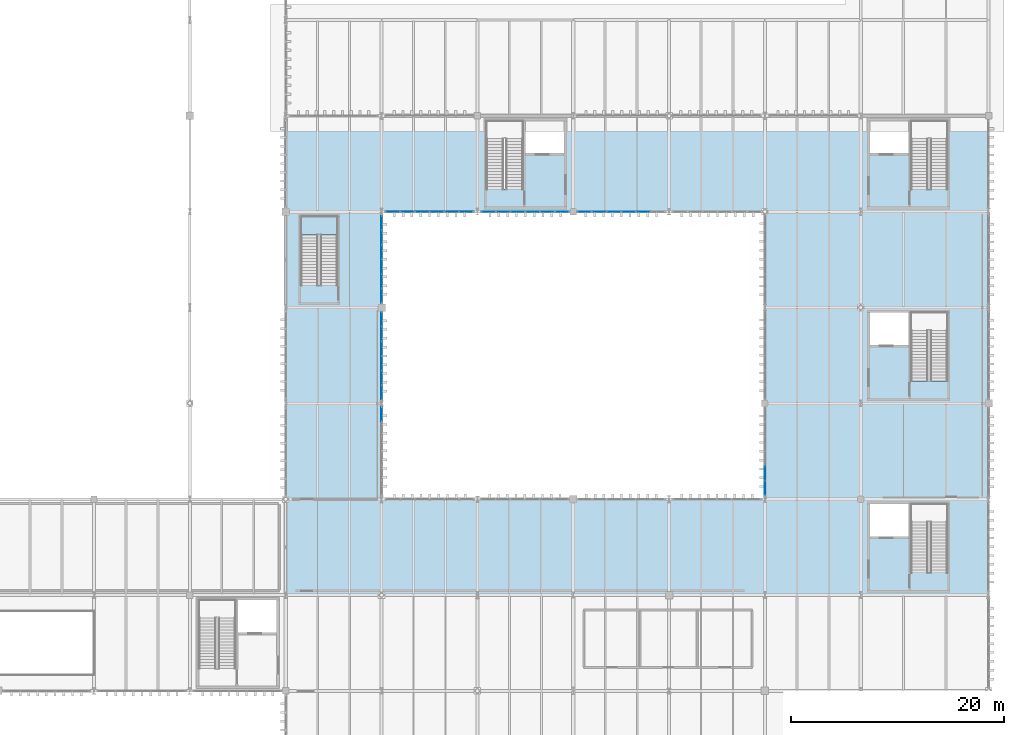
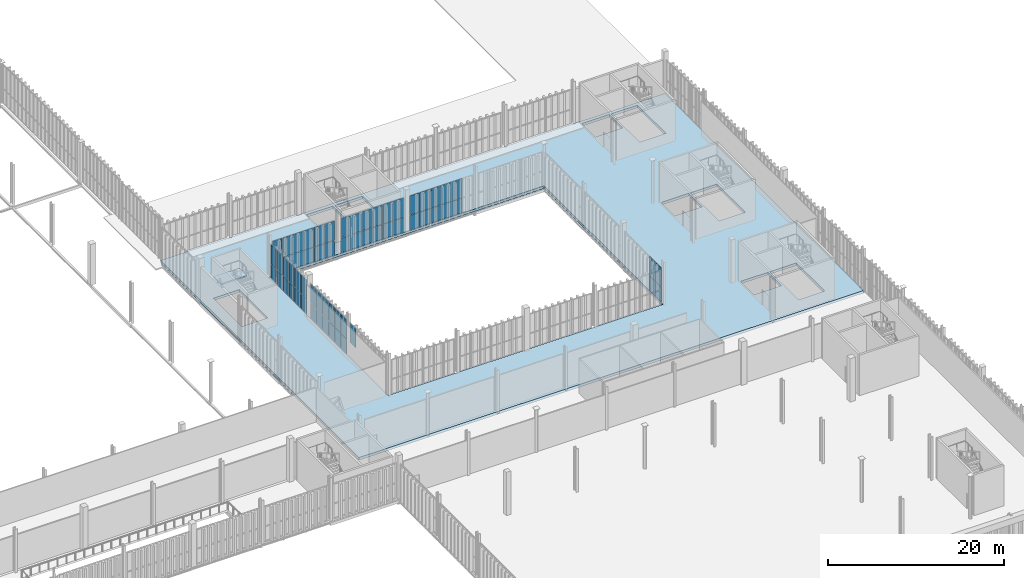
# One storey, part 192 of 237: 63 plates, 2 slabs, 8 elements without a shape of their own.
"""IFC4 building model written with IfcOpenShell, lengths in metres."""

from ifc_helpers import new_model, si_unit, direction, frame, origin, origin_2d, place, context, subcontext, project, spatial, polyline, rectangle, outline, extrude, material, layer, layer_set, type_object, element, aggregate, save


model = new_model("IFC4")

# Units and contexts
model_context = context("Model", 3, precision=1e-05, world=origin(), true_north=direction((0.0, 1.0)))
body_context = subcontext(model_context, "Body", "Model", "MODEL_VIEW")
ifc_project = project(units=[si_unit("LENGTHUNIT", "METRE"), si_unit("AREAUNIT", "SQUARE_METRE"), si_unit("VOLUMEUNIT", "CUBIC_METRE"), si_unit("PLANEANGLEUNIT", "RADIAN"), si_unit("MASSUNIT", "GRAM", prefix="KILO")], contexts=[model_context])

# Site, building, storey
site_placement = place(None, origin())
site = spatial("IfcSite", under=ifc_project, at=site_placement, CompositionType="ELEMENT")
building_placement = place(site_placement, origin())
building = spatial("IfcBuilding", under=site, at=building_placement, Name="Barlavento Convention Centre", CompositionType="ELEMENT")
storey_placement = place(building_placement, frame((0.0, 0.0, 12.0)))
storey = spatial("IfcBuildingStorey", under=building, at=storey_placement, Name="L02", CompositionType="ELEMENT", Elevation=12.0)

# Curtain wall, plates
ifc_material_1 = material(Name="Powder-coated aluminium and Low-E glass", Category="aluminium")
ifc_layer_1 = layer(ifc_material_1, 0.195068359375)
ifc_layer_set_1 = layer_set([ifc_layer_1], Name="ARC-CW-PATIO-A")
curtain_wall_type = type_object("IfcCurtainWallType", Name="ARC-CW-PATIO-A", PredefinedType="NOTDEFINED", material=ifc_layer_set_1)
curtain_wall_1_placement = place(storey_placement, origin())
curtain_wall_1 = element("IfcCurtainWall", 1, at=curtain_wall_1_placement, inside=storey, type_object=curtain_wall_type, Name="L02 unitised curtain wall CW11", PredefinedType="NOTDEFINED")
ifc_material_2 = material(Name="Double-silver Low-E insulated glass", Category="glass")
ifc_layer_2 = layer(ifc_material_2, 0.028076171875)
ifc_layer_set_2 = layer_set([ifc_layer_2], Name="ARC-CWP-GLZ28")
plate_type = type_object("IfcPlateType", Name="ARC-CWP-GLZ28", PredefinedType="CURTAIN_PANEL", material=ifc_layer_set_2)
plate_1_placement = place(storey_placement, frame((136.07421875, 90.0, 0.06005859375), z_axis=(0.0, 0.0, 1.0), x_axis=(1.0, 0.0, 0.0)))
plate_1 = element("IfcPlate", 2, at=plate_1_placement, type_object=plate_type, Name="CW11 panel 1.1", PredefinedType="CURTAIN_PANEL", context=body_context, shape_type="SweptSolid", body=[
    extrude(rectangle(XDim=1.288330078125, YDim=0.028076171875, at=origin_2d()), origin(), (0.0, 0.0, 1.0), 2.010009765625),
])
plate_2_placement = place(storey_placement, frame((136.07421875, 90.0, 2.1298828125), z_axis=(0.0, 0.0, 1.0), x_axis=(1.0, 0.0, 0.0)))
plate_2 = element("IfcPlate", 3, at=plate_2_placement, type_object=plate_type, Name="CW11 panel 1.2", PredefinedType="CURTAIN_PANEL", context=body_context, shape_type="SweptSolid", body=[
    extrude(rectangle(XDim=1.288330078125, YDim=0.028076171875, at=origin_2d()), origin(), (0.0, 0.0, 1.0), 2.659912109375),
])
plate_3_placement = place(storey_placement, frame((137.4375, 90.0, 0.06005859375), z_axis=(0.0, 0.0, 1.0), x_axis=(1.0, 0.0, 0.0)))
plate_3 = element("IfcPlate", 4, at=plate_3_placement, type_object=plate_type, Name="CW11 panel 2.1", PredefinedType="CURTAIN_PANEL", context=body_context, shape_type="SweptSolid", body=[
    extrude(rectangle(XDim=1.318359375, YDim=0.028076171875, at=origin_2d()), origin(), (0.0, 0.0, 1.0), 2.010009765625),
])
plate_4_placement = place(storey_placement, frame((137.4375, 90.0, 2.1298828125), z_axis=(0.0, 0.0, 1.0), x_axis=(1.0, 0.0, 0.0)))
plate_4 = element("IfcPlate", 5, at=plate_4_placement, type_object=plate_type, Name="CW11 panel 2.2", PredefinedType="CURTAIN_PANEL", context=body_context, shape_type="SweptSolid", body=[
    extrude(rectangle(XDim=1.318359375, YDim=0.028076171875, at=origin_2d()), origin(), (0.0, 0.0, 1.0), 2.659912109375),
])
plate_5_placement = place(storey_placement, frame((138.81591796875, 90.0, 0.06005859375), z_axis=(0.0, 0.0, 1.0), x_axis=(1.0, 0.0, 0.0)))
plate_5 = element("IfcPlate", 6, at=plate_5_placement, type_object=plate_type, Name="CW11 panel 3.1", PredefinedType="CURTAIN_PANEL", context=body_context, shape_type="SweptSolid", body=[
    extrude(rectangle(XDim=1.318359375, YDim=0.028076171875, at=origin_2d()), origin(), (0.0, 0.0, 1.0), 2.010009765625),
])
plate_6_placement = place(storey_placement, frame((138.81591796875, 90.0, 2.1298828125), z_axis=(0.0, 0.0, 1.0), x_axis=(1.0, 0.0, 0.0)))
plate_6 = element("IfcPlate", 7, at=plate_6_placement, type_object=plate_type, Name="CW11 panel 3.2", PredefinedType="CURTAIN_PANEL", context=body_context, shape_type="SweptSolid", body=[
    extrude(rectangle(XDim=1.318359375, YDim=0.028076171875, at=origin_2d()), origin(), (0.0, 0.0, 1.0), 2.659912109375),
])
plate_7_placement = place(storey_placement, frame((140.194091796875, 90.0, 0.06005859375), z_axis=(0.0, 0.0, 1.0), x_axis=(1.0, 0.0, 0.0)))
plate_7 = element("IfcPlate", 8, at=plate_7_placement, type_object=plate_type, Name="CW11 panel 4.1", PredefinedType="CURTAIN_PANEL", context=body_context, shape_type="SweptSolid", body=[
    extrude(rectangle(XDim=1.318359375, YDim=0.028076171875, at=origin_2d()), origin(), (0.0, 0.0, 1.0), 2.010009765625),
])
plate_8_placement = place(storey_placement, frame((140.194091796875, 90.0, 2.1298828125), z_axis=(0.0, 0.0, 1.0), x_axis=(1.0, 0.0, 0.0)))
plate_8 = element("IfcPlate", 9, at=plate_8_placement, type_object=plate_type, Name="CW11 panel 4.2", PredefinedType="CURTAIN_PANEL", context=body_context, shape_type="SweptSolid", body=[
    extrude(rectangle(XDim=1.318359375, YDim=0.028076171875, at=origin_2d()), origin(), (0.0, 0.0, 1.0), 2.659912109375),
])
plate_9_placement = place(storey_placement, frame((141.572509765625, 90.0, 0.06005859375), z_axis=(0.0, 0.0, 1.0), x_axis=(1.0, 0.0, 0.0)))
plate_9 = element("IfcPlate", 10, at=plate_9_placement, type_object=plate_type, Name="CW11 panel 5.1", PredefinedType="CURTAIN_PANEL", context=body_context, shape_type="SweptSolid", body=[
    extrude(rectangle(XDim=1.318359375, YDim=0.028076171875, at=origin_2d()), origin(), (0.0, 0.0, 1.0), 2.010009765625),
])
plate_10_placement = place(storey_placement, frame((141.572509765625, 90.0, 2.1298828125), z_axis=(0.0, 0.0, 1.0), x_axis=(1.0, 0.0, 0.0)))
plate_10 = element("IfcPlate", 11, at=plate_10_placement, type_object=plate_type, Name="CW11 panel 5.2", PredefinedType="CURTAIN_PANEL", context=body_context, shape_type="SweptSolid", body=[
    extrude(rectangle(XDim=1.318359375, YDim=0.028076171875, at=origin_2d()), origin(), (0.0, 0.0, 1.0), 2.659912109375),
])
plate_11_placement = place(storey_placement, frame((142.935791015625, 90.0, 0.06005859375), z_axis=(0.0, 0.0, 1.0), x_axis=(1.0, 0.0, 0.0)))
plate_11 = element("IfcPlate", 12, at=plate_11_placement, type_object=plate_type, Name="CW11 panel 6.1", PredefinedType="CURTAIN_PANEL", context=body_context, shape_type="SweptSolid", body=[
    extrude(rectangle(XDim=1.288330078125, YDim=0.028076171875, at=origin_2d()), origin(), (0.0, 0.0, 1.0), 2.010009765625),
])
plate_12_placement = place(storey_placement, frame((142.935791015625, 90.0, 2.1298828125), z_axis=(0.0, 0.0, 1.0), x_axis=(1.0, 0.0, 0.0)))
plate_12 = element("IfcPlate", 13, at=plate_12_placement, type_object=plate_type, Name="CW11 panel 6.2", PredefinedType="CURTAIN_PANEL", context=body_context, shape_type="SweptSolid", body=[
    extrude(rectangle(XDim=1.288330078125, YDim=0.028076171875, at=origin_2d()), origin(), (0.0, 0.0, 1.0), 2.659912109375),
])
aggregate(curtain_wall_1, [plate_1, plate_2, plate_3, plate_4, plate_5, plate_6, plate_7, plate_8, plate_9, plate_10, plate_11, plate_12])

curtain_wall_2_placement = place(storey_placement, origin())
curtain_wall_2 = element("IfcCurtainWall", 14, at=curtain_wall_2_placement, inside=storey, type_object=curtain_wall_type, Name="L02 unitised curtain wall CW11", PredefinedType="NOTDEFINED")
plate_13_placement = place(storey_placement, frame((145.06494140625, 90.0, 0.06005859375), z_axis=(0.0, 0.0, 1.0), x_axis=(1.0, 0.0, 0.0)))
plate_13 = element("IfcPlate", 15, at=plate_13_placement, type_object=plate_type, Name="CW11 panel 1.1", PredefinedType="CURTAIN_PANEL", context=body_context, shape_type="SweptSolid", body=[
    extrude(rectangle(XDim=1.2900390625, YDim=0.028076171875, at=origin_2d()), origin(), (0.0, 0.0, 1.0), 2.010009765625),
])
plate_14_placement = place(storey_placement, frame((145.06494140625, 90.0, 2.1298828125), z_axis=(0.0, 0.0, 1.0), x_axis=(1.0, 0.0, 0.0)))
plate_14 = element("IfcPlate", 16, at=plate_14_placement, type_object=plate_type, Name="CW11 panel 1.2", PredefinedType="CURTAIN_PANEL", context=body_context, shape_type="SweptSolid", body=[
    extrude(rectangle(XDim=1.2900390625, YDim=0.028076171875, at=origin_2d()), origin(), (0.0, 0.0, 1.0), 2.659912109375),
])
plate_15_placement = place(storey_placement, frame((146.429931640625, 90.0, 0.06005859375), z_axis=(0.0, 0.0, 1.0), x_axis=(1.0, 0.0, 0.0)))
plate_15 = element("IfcPlate", 17, at=plate_15_placement, type_object=plate_type, Name="CW11 panel 2.1", PredefinedType="CURTAIN_PANEL", context=body_context, shape_type="SweptSolid", body=[
    extrude(rectangle(XDim=1.320068359375, YDim=0.028076171875, at=origin_2d()), origin(), (0.0, 0.0, 1.0), 2.010009765625),
])
plate_16_placement = place(storey_placement, frame((146.429931640625, 90.0, 2.1298828125), z_axis=(0.0, 0.0, 1.0), x_axis=(1.0, 0.0, 0.0)))
plate_16 = element("IfcPlate", 18, at=plate_16_placement, type_object=plate_type, Name="CW11 panel 2.2", PredefinedType="CURTAIN_PANEL", context=body_context, shape_type="SweptSolid", body=[
    extrude(rectangle(XDim=1.320068359375, YDim=0.028076171875, at=origin_2d()), origin(), (0.0, 0.0, 1.0), 2.659912109375),
])
plate_17_placement = place(storey_placement, frame((147.81005859375, 90.0, 0.06005859375), z_axis=(0.0, 0.0, 1.0), x_axis=(1.0, 0.0, 0.0)))
plate_17 = element("IfcPlate", 19, at=plate_17_placement, type_object=plate_type, Name="CW11 panel 3.1", PredefinedType="CURTAIN_PANEL", context=body_context, shape_type="SweptSolid", body=[
    extrude(rectangle(XDim=1.320068359375, YDim=0.028076171875, at=origin_2d()), origin(), (0.0, 0.0, 1.0), 2.010009765625),
])
plate_18_placement = place(storey_placement, frame((147.81005859375, 90.0, 2.1298828125), z_axis=(0.0, 0.0, 1.0), x_axis=(1.0, 0.0, 0.0)))
plate_18 = element("IfcPlate", 20, at=plate_18_placement, type_object=plate_type, Name="CW11 panel 3.2", PredefinedType="CURTAIN_PANEL", context=body_context, shape_type="SweptSolid", body=[
    extrude(rectangle(XDim=1.320068359375, YDim=0.028076171875, at=origin_2d()), origin(), (0.0, 0.0, 1.0), 2.659912109375),
])
plate_19_placement = place(storey_placement, frame((149.18994140625, 90.0, 0.06005859375), z_axis=(0.0, 0.0, 1.0), x_axis=(1.0, 0.0, 0.0)))
plate_19 = element("IfcPlate", 21, at=plate_19_placement, type_object=plate_type, Name="CW11 panel 4.1", PredefinedType="CURTAIN_PANEL", context=body_context, shape_type="SweptSolid", body=[
    extrude(rectangle(XDim=1.320068359375, YDim=0.028076171875, at=origin_2d()), origin(), (0.0, 0.0, 1.0), 2.010009765625),
])
plate_20_placement = place(storey_placement, frame((149.18994140625, 90.0, 2.1298828125), z_axis=(0.0, 0.0, 1.0), x_axis=(1.0, 0.0, 0.0)))
plate_20 = element("IfcPlate", 22, at=plate_20_placement, type_object=plate_type, Name="CW11 panel 4.2", PredefinedType="CURTAIN_PANEL", context=body_context, shape_type="SweptSolid", body=[
    extrude(rectangle(XDim=1.320068359375, YDim=0.028076171875, at=origin_2d()), origin(), (0.0, 0.0, 1.0), 2.659912109375),
])
plate_21_placement = place(storey_placement, frame((150.570068359375, 90.0, 0.06005859375), z_axis=(0.0, 0.0, 1.0), x_axis=(1.0, 0.0, 0.0)))
plate_21 = element("IfcPlate", 23, at=plate_21_placement, type_object=plate_type, Name="CW11 panel 5.1", PredefinedType="CURTAIN_PANEL", context=body_context, shape_type="SweptSolid", body=[
    extrude(rectangle(XDim=1.320068359375, YDim=0.028076171875, at=origin_2d()), origin(), (0.0, 0.0, 1.0), 2.010009765625),
])
plate_22_placement = place(storey_placement, frame((150.570068359375, 90.0, 2.1298828125), z_axis=(0.0, 0.0, 1.0), x_axis=(1.0, 0.0, 0.0)))
plate_22 = element("IfcPlate", 24, at=plate_22_placement, type_object=plate_type, Name="CW11 panel 5.2", PredefinedType="CURTAIN_PANEL", context=body_context, shape_type="SweptSolid", body=[
    extrude(rectangle(XDim=1.320068359375, YDim=0.028076171875, at=origin_2d()), origin(), (0.0, 0.0, 1.0), 2.659912109375),
])
plate_23_placement = place(storey_placement, frame((151.93505859375, 90.0, 0.06005859375), z_axis=(0.0, 0.0, 1.0), x_axis=(1.0, 0.0, 0.0)))
plate_23 = element("IfcPlate", 25, at=plate_23_placement, type_object=plate_type, Name="CW11 panel 6.1", PredefinedType="CURTAIN_PANEL", context=body_context, shape_type="SweptSolid", body=[
    extrude(rectangle(XDim=1.2900390625, YDim=0.028076171875, at=origin_2d()), origin(), (0.0, 0.0, 1.0), 2.010009765625),
])
plate_24_placement = place(storey_placement, frame((151.93505859375, 90.0, 2.1298828125), z_axis=(0.0, 0.0, 1.0), x_axis=(1.0, 0.0, 0.0)))
plate_24 = element("IfcPlate", 26, at=plate_24_placement, type_object=plate_type, Name="CW11 panel 6.2", PredefinedType="CURTAIN_PANEL", context=body_context, shape_type="SweptSolid", body=[
    extrude(rectangle(XDim=1.2900390625, YDim=0.028076171875, at=origin_2d()), origin(), (0.0, 0.0, 1.0), 2.659912109375),
])
aggregate(curtain_wall_2, [plate_13, plate_14, plate_15, plate_16, plate_17, plate_18, plate_19, plate_20, plate_21, plate_22, plate_23, plate_24])

curtain_wall_3_placement = place(storey_placement, origin())
curtain_wall_3 = element("IfcCurtainWall", 27, at=curtain_wall_3_placement, inside=storey, type_object=curtain_wall_type, Name="L02 unitised curtain wall CW11", PredefinedType="NOTDEFINED")
plate_25_placement = place(storey_placement, frame((154.066162109375, 90.0, 0.06005859375), z_axis=(0.0, 0.0, 1.0), x_axis=(1.0, 0.0, 0.0)))
plate_25 = element("IfcPlate", 28, at=plate_25_placement, type_object=plate_type, Name="CW11 panel 1.1", PredefinedType="CURTAIN_PANEL", context=body_context, shape_type="SweptSolid", body=[
    extrude(rectangle(XDim=1.292236328125, YDim=0.028076171875, at=origin_2d()), origin(), (0.0, 0.0, 1.0), 2.010009765625),
])
plate_26_placement = place(storey_placement, frame((154.066162109375, 90.0, 2.1298828125), z_axis=(0.0, 0.0, 1.0), x_axis=(1.0, 0.0, 0.0)))
plate_26 = element("IfcPlate", 29, at=plate_26_placement, type_object=plate_type, Name="CW11 panel 1.2", PredefinedType="CURTAIN_PANEL", context=body_context, shape_type="SweptSolid", body=[
    extrude(rectangle(XDim=1.292236328125, YDim=0.028076171875, at=origin_2d()), origin(), (0.0, 0.0, 1.0), 2.659912109375),
])
plate_27_placement = place(storey_placement, frame((155.43359375, 90.0, 0.06005859375), z_axis=(0.0, 0.0, 1.0), x_axis=(1.0, 0.0, 0.0)))
plate_27 = element("IfcPlate", 30, at=plate_27_placement, type_object=plate_type, Name="CW11 panel 2.1", PredefinedType="CURTAIN_PANEL", context=body_context, shape_type="SweptSolid", body=[
    extrude(rectangle(XDim=1.322265625, YDim=0.028076171875, at=origin_2d()), origin(), (0.0, 0.0, 1.0), 2.010009765625),
])
plate_28_placement = place(storey_placement, frame((155.43359375, 90.0, 2.1298828125), z_axis=(0.0, 0.0, 1.0), x_axis=(1.0, 0.0, 0.0)))
plate_28 = element("IfcPlate", 31, at=plate_28_placement, type_object=plate_type, Name="CW11 panel 2.2", PredefinedType="CURTAIN_PANEL", context=body_context, shape_type="SweptSolid", body=[
    extrude(rectangle(XDim=1.322265625, YDim=0.028076171875, at=origin_2d()), origin(), (0.0, 0.0, 1.0), 2.659912109375),
])
plate_29_placement = place(storey_placement, frame((156.81591796875, 90.0, 0.06005859375), z_axis=(0.0, 0.0, 1.0), x_axis=(1.0, 0.0, 0.0)))
plate_29 = element("IfcPlate", 32, at=plate_29_placement, type_object=plate_type, Name="CW11 panel 3.1", PredefinedType="CURTAIN_PANEL", context=body_context, shape_type="SweptSolid", body=[
    extrude(rectangle(XDim=1.322265625, YDim=0.028076171875, at=origin_2d()), origin(), (0.0, 0.0, 1.0), 2.010009765625),
])
plate_30_placement = place(storey_placement, frame((156.81591796875, 90.0, 2.1298828125), z_axis=(0.0, 0.0, 1.0), x_axis=(1.0, 0.0, 0.0)))
plate_30 = element("IfcPlate", 33, at=plate_30_placement, type_object=plate_type, Name="CW11 panel 3.2", PredefinedType="CURTAIN_PANEL", context=body_context, shape_type="SweptSolid", body=[
    extrude(rectangle(XDim=1.322265625, YDim=0.028076171875, at=origin_2d()), origin(), (0.0, 0.0, 1.0), 2.659912109375),
])
plate_31_placement = place(storey_placement, frame((158.1982421875, 90.0, 0.06005859375), z_axis=(0.0, 0.0, 1.0), x_axis=(1.0, 0.0, 0.0)))
plate_31 = element("IfcPlate", 34, at=plate_31_placement, type_object=plate_type, Name="CW11 panel 4.1", PredefinedType="CURTAIN_PANEL", context=body_context, shape_type="SweptSolid", body=[
    extrude(rectangle(XDim=1.322265625, YDim=0.028076171875, at=origin_2d()), origin(), (0.0, 0.0, 1.0), 2.010009765625),
])
plate_32_placement = place(storey_placement, frame((158.1982421875, 90.0, 2.1298828125), z_axis=(0.0, 0.0, 1.0), x_axis=(1.0, 0.0, 0.0)))
plate_32 = element("IfcPlate", 35, at=plate_32_placement, type_object=plate_type, Name="CW11 panel 4.2", PredefinedType="CURTAIN_PANEL", context=body_context, shape_type="SweptSolid", body=[
    extrude(rectangle(XDim=1.322265625, YDim=0.028076171875, at=origin_2d()), origin(), (0.0, 0.0, 1.0), 2.659912109375),
])
plate_33_placement = place(storey_placement, frame((159.58056640625, 90.0, 0.06005859375), z_axis=(0.0, 0.0, 1.0), x_axis=(1.0, 0.0, 0.0)))
plate_33 = element("IfcPlate", 36, at=plate_33_placement, type_object=plate_type, Name="CW11 panel 5.1", PredefinedType="CURTAIN_PANEL", context=body_context, shape_type="SweptSolid", body=[
    extrude(rectangle(XDim=1.322265625, YDim=0.028076171875, at=origin_2d()), origin(), (0.0, 0.0, 1.0), 2.010009765625),
])
plate_34_placement = place(storey_placement, frame((159.58056640625, 90.0, 2.1298828125), z_axis=(0.0, 0.0, 1.0), x_axis=(1.0, 0.0, 0.0)))
plate_34 = element("IfcPlate", 37, at=plate_34_placement, type_object=plate_type, Name="CW11 panel 5.2", PredefinedType="CURTAIN_PANEL", context=body_context, shape_type="SweptSolid", body=[
    extrude(rectangle(XDim=1.322265625, YDim=0.028076171875, at=origin_2d()), origin(), (0.0, 0.0, 1.0), 2.659912109375),
])
aggregate(curtain_wall_3, [plate_25, plate_26, plate_27, plate_28, plate_29, plate_30, plate_31, plate_32, plate_33, plate_34])

# Curtain wall, plate
curtain_wall_4_placement = place(storey_placement, origin())
curtain_wall_4 = element("IfcCurtainWall", 38, at=curtain_wall_4_placement, inside=storey, type_object=curtain_wall_type, Name="L02 unitised curtain wall CW11", PredefinedType="NOTDEFINED")
plate_35_placement = place(storey_placement, frame((135.0, 70.97265625, 2.1298828125), z_axis=(0.0, 0.0, 1.0), x_axis=(0.0, 1.0, 0.0)))
plate_35 = element("IfcPlate", 39, at=plate_35_placement, type_object=plate_type, Name="CW11 panel 6.2", PredefinedType="CURTAIN_PANEL", context=body_context, shape_type="SweptSolid", body=[
    extrude(rectangle(XDim=1.290771484375, YDim=0.028076171875, at=origin_2d()), origin(), (0.0, 0.0, 1.0), 2.659912109375),
])
aggregate(curtain_wall_4, [plate_35])

# Curtain wall, plates
curtain_wall_5_placement = place(storey_placement, origin())
curtain_wall_5 = element("IfcCurtainWall", 40, at=curtain_wall_5_placement, inside=storey, type_object=curtain_wall_type, Name="L02 unitised curtain wall CW11", PredefinedType="NOTDEFINED")
plate_36_placement = place(storey_placement, frame((171.0, 64.06494140625, 0.06005859375), z_axis=(0.0, 0.0, 1.0), x_axis=(0.0, 1.0, 0.0)))
plate_36 = element("IfcPlate", 41, at=plate_36_placement, type_object=plate_type, Name="CW11 panel 1.1", PredefinedType="CURTAIN_PANEL", context=body_context, shape_type="SweptSolid", body=[
    extrude(rectangle(XDim=1.2900390625, YDim=0.028076171875, at=origin_2d()), origin(), (0.0, 0.0, 1.0), 2.010009765625),
])
plate_37_placement = place(storey_placement, frame((171.0, 64.06494140625, 2.1298828125), z_axis=(0.0, 0.0, 1.0), x_axis=(0.0, 1.0, 0.0)))
plate_37 = element("IfcPlate", 42, at=plate_37_placement, type_object=plate_type, Name="CW11 panel 1.2", PredefinedType="CURTAIN_PANEL", context=body_context, shape_type="SweptSolid", body=[
    extrude(rectangle(XDim=1.2900390625, YDim=0.028076171875, at=origin_2d()), origin(), (0.0, 0.0, 1.0), 2.659912109375),
])
plate_38_placement = place(storey_placement, frame((171.0, 65.429931640625, 0.06005859375), z_axis=(0.0, 0.0, 1.0), x_axis=(0.0, 1.0, 0.0)))
plate_38 = element("IfcPlate", 43, at=plate_38_placement, type_object=plate_type, Name="CW11 panel 2.1", PredefinedType="CURTAIN_PANEL", context=body_context, shape_type="SweptSolid", body=[
    extrude(rectangle(XDim=1.320068359375, YDim=0.028076171875, at=origin_2d()), origin(), (0.0, 0.0, 1.0), 2.010009765625),
])
plate_39_placement = place(storey_placement, frame((171.0, 65.429931640625, 2.1298828125), z_axis=(0.0, 0.0, 1.0), x_axis=(0.0, 1.0, 0.0)))
plate_39 = element("IfcPlate", 44, at=plate_39_placement, type_object=plate_type, Name="CW11 panel 2.2", PredefinedType="CURTAIN_PANEL", context=body_context, shape_type="SweptSolid", body=[
    extrude(rectangle(XDim=1.320068359375, YDim=0.028076171875, at=origin_2d()), origin(), (0.0, 0.0, 1.0), 2.659912109375),
])
aggregate(curtain_wall_5, [plate_36, plate_37, plate_38, plate_39])

curtain_wall_6_placement = place(storey_placement, origin())
curtain_wall_6 = element("IfcCurtainWall", 45, at=curtain_wall_6_placement, inside=storey, type_object=curtain_wall_type, Name="L02 unitised curtain wall CW11", PredefinedType="NOTDEFINED")
plate_40_placement = place(storey_placement, frame((135.0, 73.02587890625, 0.06005859375), z_axis=(0.0, 0.0, 1.0), x_axis=(0.0, 1.0, 0.0)))
plate_40 = element("IfcPlate", 46, at=plate_40_placement, type_object=plate_type, Name="CW11 panel 1.1", PredefinedType="CURTAIN_PANEL", context=body_context, shape_type="SweptSolid", body=[
    extrude(rectangle(XDim=1.2880859375, YDim=0.028076171875, at=origin_2d()), origin(), (0.0, 0.0, 1.0), 2.010009765625),
])
plate_41_placement = place(storey_placement, frame((135.0, 73.02587890625, 2.1298828125), z_axis=(0.0, 0.0, 1.0), x_axis=(0.0, 1.0, 0.0)))
plate_41 = element("IfcPlate", 47, at=plate_41_placement, type_object=plate_type, Name="CW11 panel 1.2", PredefinedType="CURTAIN_PANEL", context=body_context, shape_type="SweptSolid", body=[
    extrude(rectangle(XDim=1.2880859375, YDim=0.028076171875, at=origin_2d()), origin(), (0.0, 0.0, 1.0), 2.659912109375),
])
plate_42_placement = place(storey_placement, frame((135.0, 74.388916015625, 0.06005859375), z_axis=(0.0, 0.0, 1.0), x_axis=(0.0, 1.0, 0.0)))
plate_42 = element("IfcPlate", 48, at=plate_42_placement, type_object=plate_type, Name="CW11 panel 2.1", PredefinedType="CURTAIN_PANEL", context=body_context, shape_type="SweptSolid", body=[
    extrude(rectangle(XDim=1.318115234375, YDim=0.028076171875, at=origin_2d()), origin(), (0.0, 0.0, 1.0), 2.010009765625),
])
plate_43_placement = place(storey_placement, frame((135.0, 74.388916015625, 2.1298828125), z_axis=(0.0, 0.0, 1.0), x_axis=(0.0, 1.0, 0.0)))
plate_43 = element("IfcPlate", 49, at=plate_43_placement, type_object=plate_type, Name="CW11 panel 2.2", PredefinedType="CURTAIN_PANEL", context=body_context, shape_type="SweptSolid", body=[
    extrude(rectangle(XDim=1.318115234375, YDim=0.028076171875, at=origin_2d()), origin(), (0.0, 0.0, 1.0), 2.659912109375),
])
plate_44_placement = place(storey_placement, frame((135.0, 75.76708984375, 0.06005859375), z_axis=(0.0, 0.0, 1.0), x_axis=(0.0, 1.0, 0.0)))
plate_44 = element("IfcPlate", 50, at=plate_44_placement, type_object=plate_type, Name="CW11 panel 3.1", PredefinedType="CURTAIN_PANEL", context=body_context, shape_type="SweptSolid", body=[
    extrude(rectangle(XDim=1.318115234375, YDim=0.028076171875, at=origin_2d()), origin(), (0.0, 0.0, 1.0), 2.010009765625),
])
plate_45_placement = place(storey_placement, frame((135.0, 75.76708984375, 2.1298828125), z_axis=(0.0, 0.0, 1.0), x_axis=(0.0, 1.0, 0.0)))
plate_45 = element("IfcPlate", 51, at=plate_45_placement, type_object=plate_type, Name="CW11 panel 3.2", PredefinedType="CURTAIN_PANEL", context=body_context, shape_type="SweptSolid", body=[
    extrude(rectangle(XDim=1.318115234375, YDim=0.028076171875, at=origin_2d()), origin(), (0.0, 0.0, 1.0), 2.659912109375),
])
plate_46_placement = place(storey_placement, frame((135.0, 77.14501953125, 0.06005859375), z_axis=(0.0, 0.0, 1.0), x_axis=(0.0, 1.0, 0.0)))
plate_46 = element("IfcPlate", 52, at=plate_46_placement, type_object=plate_type, Name="CW11 panel 4.1", PredefinedType="CURTAIN_PANEL", context=body_context, shape_type="SweptSolid", body=[
    extrude(rectangle(XDim=1.318115234375, YDim=0.028076171875, at=origin_2d()), origin(), (0.0, 0.0, 1.0), 2.010009765625),
])
plate_47_placement = place(storey_placement, frame((135.0, 77.14501953125, 2.1298828125), z_axis=(0.0, 0.0, 1.0), x_axis=(0.0, 1.0, 0.0)))
plate_47 = element("IfcPlate", 53, at=plate_47_placement, type_object=plate_type, Name="CW11 panel 4.2", PredefinedType="CURTAIN_PANEL", context=body_context, shape_type="SweptSolid", body=[
    extrude(rectangle(XDim=1.318115234375, YDim=0.028076171875, at=origin_2d()), origin(), (0.0, 0.0, 1.0), 2.659912109375),
])
plate_48_placement = place(storey_placement, frame((135.0, 78.52294921875, 0.06005859375), z_axis=(0.0, 0.0, 1.0), x_axis=(0.0, 1.0, 0.0)))
plate_48 = element("IfcPlate", 54, at=plate_48_placement, type_object=plate_type, Name="CW11 panel 5.1", PredefinedType="CURTAIN_PANEL", context=body_context, shape_type="SweptSolid", body=[
    extrude(rectangle(XDim=1.318115234375, YDim=0.028076171875, at=origin_2d()), origin(), (0.0, 0.0, 1.0), 2.010009765625),
])
plate_49_placement = place(storey_placement, frame((135.0, 78.52294921875, 2.1298828125), z_axis=(0.0, 0.0, 1.0), x_axis=(0.0, 1.0, 0.0)))
plate_49 = element("IfcPlate", 55, at=plate_49_placement, type_object=plate_type, Name="CW11 panel 5.2", PredefinedType="CURTAIN_PANEL", context=body_context, shape_type="SweptSolid", body=[
    extrude(rectangle(XDim=1.318115234375, YDim=0.028076171875, at=origin_2d()), origin(), (0.0, 0.0, 1.0), 2.659912109375),
])
plate_50_placement = place(storey_placement, frame((135.0, 79.885986328125, 0.06005859375), z_axis=(0.0, 0.0, 1.0), x_axis=(0.0, 1.0, 0.0)))
plate_50 = element("IfcPlate", 56, at=plate_50_placement, type_object=plate_type, Name="CW11 panel 6.1", PredefinedType="CURTAIN_PANEL", context=body_context, shape_type="SweptSolid", body=[
    extrude(rectangle(XDim=1.2880859375, YDim=0.028076171875, at=origin_2d()), origin(), (0.0, 0.0, 1.0), 2.010009765625),
])
plate_51_placement = place(storey_placement, frame((135.0, 79.885986328125, 2.1298828125), z_axis=(0.0, 0.0, 1.0), x_axis=(0.0, 1.0, 0.0)))
plate_51 = element("IfcPlate", 57, at=plate_51_placement, type_object=plate_type, Name="CW11 panel 6.2", PredefinedType="CURTAIN_PANEL", context=body_context, shape_type="SweptSolid", body=[
    extrude(rectangle(XDim=1.2880859375, YDim=0.028076171875, at=origin_2d()), origin(), (0.0, 0.0, 1.0), 2.659912109375),
])
aggregate(curtain_wall_6, [plate_40, plate_41, plate_42, plate_43, plate_44, plate_45, plate_46, plate_47, plate_48, plate_49, plate_50, plate_51])

curtain_wall_7_placement = place(storey_placement, origin())
curtain_wall_7 = element("IfcCurtainWall", 58, at=curtain_wall_7_placement, inside=storey, type_object=curtain_wall_type, Name="L02 unitised curtain wall CW11", PredefinedType="NOTDEFINED")
plate_52_placement = place(storey_placement, frame((135.0, 82.110107421875, 0.06005859375), z_axis=(0.0, 0.0, 1.0), x_axis=(0.0, 1.0, 0.0)))
plate_52 = element("IfcPlate", 59, at=plate_52_placement, type_object=plate_type, Name="CW11 panel 1.1", PredefinedType="CURTAIN_PANEL", context=body_context, shape_type="SweptSolid", body=[
    extrude(rectangle(XDim=1.280029296875, YDim=0.028076171875, at=origin_2d()), origin(), (0.0, 0.0, 1.0), 2.010009765625),
])
plate_53_placement = place(storey_placement, frame((135.0, 82.110107421875, 2.1298828125), z_axis=(0.0, 0.0, 1.0), x_axis=(0.0, 1.0, 0.0)))
plate_53 = element("IfcPlate", 60, at=plate_53_placement, type_object=plate_type, Name="CW11 panel 1.2", PredefinedType="CURTAIN_PANEL", context=body_context, shape_type="SweptSolid", body=[
    extrude(rectangle(XDim=1.280029296875, YDim=0.028076171875, at=origin_2d()), origin(), (0.0, 0.0, 1.0), 2.659912109375),
])
plate_54_placement = place(storey_placement, frame((135.0, 83.465087890625, 0.06005859375), z_axis=(0.0, 0.0, 1.0), x_axis=(0.0, 1.0, 0.0)))
plate_54 = element("IfcPlate", 61, at=plate_54_placement, type_object=plate_type, Name="CW11 panel 2.1", PredefinedType="CURTAIN_PANEL", context=body_context, shape_type="SweptSolid", body=[
    extrude(rectangle(XDim=1.31005859375, YDim=0.028076171875, at=origin_2d()), origin(), (0.0, 0.0, 1.0), 2.010009765625),
])
plate_55_placement = place(storey_placement, frame((135.0, 83.465087890625, 2.1298828125), z_axis=(0.0, 0.0, 1.0), x_axis=(0.0, 1.0, 0.0)))
plate_55 = element("IfcPlate", 62, at=plate_55_placement, type_object=plate_type, Name="CW11 panel 2.2", PredefinedType="CURTAIN_PANEL", context=body_context, shape_type="SweptSolid", body=[
    extrude(rectangle(XDim=1.31005859375, YDim=0.028076171875, at=origin_2d()), origin(), (0.0, 0.0, 1.0), 2.659912109375),
])
plate_56_placement = place(storey_placement, frame((135.0, 84.8349609375, 0.06005859375), z_axis=(0.0, 0.0, 1.0), x_axis=(0.0, 1.0, 0.0)))
plate_56 = element("IfcPlate", 63, at=plate_56_placement, type_object=plate_type, Name="CW11 panel 3.1", PredefinedType="CURTAIN_PANEL", context=body_context, shape_type="SweptSolid", body=[
    extrude(rectangle(XDim=1.31005859375, YDim=0.028076171875, at=origin_2d()), origin(), (0.0, 0.0, 1.0), 2.010009765625),
])
plate_57_placement = place(storey_placement, frame((135.0, 84.8349609375, 2.1298828125), z_axis=(0.0, 0.0, 1.0), x_axis=(0.0, 1.0, 0.0)))
plate_57 = element("IfcPlate", 64, at=plate_57_placement, type_object=plate_type, Name="CW11 panel 3.2", PredefinedType="CURTAIN_PANEL", context=body_context, shape_type="SweptSolid", body=[
    extrude(rectangle(XDim=1.31005859375, YDim=0.028076171875, at=origin_2d()), origin(), (0.0, 0.0, 1.0), 2.659912109375),
])
plate_58_placement = place(storey_placement, frame((135.0, 86.205078125, 0.06005859375), z_axis=(0.0, 0.0, 1.0), x_axis=(0.0, 1.0, 0.0)))
plate_58 = element("IfcPlate", 65, at=plate_58_placement, type_object=plate_type, Name="CW11 panel 4.1", PredefinedType="CURTAIN_PANEL", context=body_context, shape_type="SweptSolid", body=[
    extrude(rectangle(XDim=1.31005859375, YDim=0.028076171875, at=origin_2d()), origin(), (0.0, 0.0, 1.0), 2.010009765625),
])
plate_59_placement = place(storey_placement, frame((135.0, 86.205078125, 2.1298828125), z_axis=(0.0, 0.0, 1.0), x_axis=(0.0, 1.0, 0.0)))
plate_59 = element("IfcPlate", 66, at=plate_59_placement, type_object=plate_type, Name="CW11 panel 4.2", PredefinedType="CURTAIN_PANEL", context=body_context, shape_type="SweptSolid", body=[
    extrude(rectangle(XDim=1.31005859375, YDim=0.028076171875, at=origin_2d()), origin(), (0.0, 0.0, 1.0), 2.659912109375),
])
plate_60_placement = place(storey_placement, frame((135.0, 87.574951171875, 0.06005859375), z_axis=(0.0, 0.0, 1.0), x_axis=(0.0, 1.0, 0.0)))
plate_60 = element("IfcPlate", 67, at=plate_60_placement, type_object=plate_type, Name="CW11 panel 5.1", PredefinedType="CURTAIN_PANEL", context=body_context, shape_type="SweptSolid", body=[
    extrude(rectangle(XDim=1.31005859375, YDim=0.028076171875, at=origin_2d()), origin(), (0.0, 0.0, 1.0), 2.010009765625),
])
plate_61_placement = place(storey_placement, frame((135.0, 87.574951171875, 2.1298828125), z_axis=(0.0, 0.0, 1.0), x_axis=(0.0, 1.0, 0.0)))
plate_61 = element("IfcPlate", 68, at=plate_61_placement, type_object=plate_type, Name="CW11 panel 5.2", PredefinedType="CURTAIN_PANEL", context=body_context, shape_type="SweptSolid", body=[
    extrude(rectangle(XDim=1.31005859375, YDim=0.028076171875, at=origin_2d()), origin(), (0.0, 0.0, 1.0), 2.659912109375),
])
plate_62_placement = place(storey_placement, frame((135.0, 88.929931640625, 0.06005859375), z_axis=(0.0, 0.0, 1.0), x_axis=(0.0, 1.0, 0.0)))
plate_62 = element("IfcPlate", 69, at=plate_62_placement, type_object=plate_type, Name="CW11 panel 6.1", PredefinedType="CURTAIN_PANEL", context=body_context, shape_type="SweptSolid", body=[
    extrude(rectangle(XDim=1.280029296875, YDim=0.028076171875, at=origin_2d()), origin(), (0.0, 0.0, 1.0), 2.010009765625),
])
plate_63_placement = place(storey_placement, frame((135.0, 88.929931640625, 2.1298828125), z_axis=(0.0, 0.0, 1.0), x_axis=(0.0, 1.0, 0.0)))
plate_63 = element("IfcPlate", 70, at=plate_63_placement, type_object=plate_type, Name="CW11 panel 6.2", PredefinedType="CURTAIN_PANEL", context=body_context, shape_type="SweptSolid", body=[
    extrude(rectangle(XDim=1.280029296875, YDim=0.028076171875, at=origin_2d()), origin(), (0.0, 0.0, 1.0), 2.659912109375),
])
aggregate(curtain_wall_7, [plate_52, plate_53, plate_54, plate_55, plate_56, plate_57, plate_58, plate_59, plate_60, plate_61, plate_62, plate_63])

# Stair, slab
ifc_material_3 = material(Name="Concrete C40/50", Category="concrete")
stair_type = type_object("IfcStairType", Name="ARC-STR-DOG-1600", PredefinedType="HALF_TURN_STAIR", material=ifc_material_3)
stair_placement = place(storey_placement, origin())
stair = element("IfcStair", 71, at=stair_placement, inside=storey, type_object=stair_type, Name="L02 ST12", PredefinedType="HALF_TURN_STAIR")
ifc_layer_3 = layer(ifc_material_3, 0.199951171875)
ifc_layer_set_3 = layer_set([ifc_layer_3], Name="ARC-SLB-LND-200")
slab_type_1 = type_object("IfcSlabType", Name="ARC-SLB-LND-200", PredefinedType="LANDING", material=ifc_layer_set_3)
slab_1_placement = place(storey_placement, frame((0.0, 0.0, 2.800048828125)))
slab_1 = element("IfcSlab", 72, at=slab_1_placement, type_object=slab_type_1, Name="ST12 landing 1", PredefinedType="LANDING", context=body_context, shape_type="SweptSolid", body=[
    extrude(outline(polyline([(130.85009765625, 87.830078125), (130.85009765625, 89.530029296875), (127.449951171875, 89.530029296875), (127.449951171875, 87.830078125), (130.85009765625, 87.830078125)])), origin(), (0.0, 0.0, 1.0), 0.199951171875),
])
aggregate(stair, [slab_1])

# Slab
ifc_layer_4 = layer(ifc_material_3, 0.360107421875)
ifc_layer_set_4 = layer_set([ifc_layer_4], Name="STR-SLB-FLR-360")
slab_type_2 = type_object("IfcSlabType", Name="STR-SLB-FLR-360", PredefinedType="FLOOR", material=ifc_layer_set_4)
slab_2_placement = place(storey_placement, frame((0.0, 0.0, -0.360107421875)))
element("IfcSlab", 73, at=slab_2_placement, inside=storey, type_object=slab_type_2, Name="L02 structural slab FS-205", PredefinedType="FLOOR", context=body_context, shape_type="SweptSolid", body=[
    extrude(outline(polyline([(126.0, 54.0), (192.0, 54.0), (192.0, 99.0), (126.0, 99.0), (126.0, 54.0)]), holes=[polyline([(135.0, 63.0), (171.0, 63.0), (171.0, 90.0), (135.0, 90.0), (135.0, 63.0)]), polyline([(188.14990234375, 56.114990234375), (188.14990234375, 62.530029296875), (184.7099609375, 62.530029296875), (184.7099609375, 56.114990234375), (188.14990234375, 56.114990234375)]), polyline([(180.85009765625, 59.4951171875), (184.4599609375, 59.4951171875), (184.4599609375, 62.530029296875), (180.85009765625, 62.530029296875), (180.85009765625, 59.4951171875)]), polyline([(188.14990234375, 74.114990234375), (188.14990234375, 80.530029296875), (184.7099609375, 80.530029296875), (184.7099609375, 74.114990234375), (188.14990234375, 74.114990234375)]), polyline([(180.85009765625, 77.4951171875), (184.4599609375, 77.4951171875), (184.4599609375, 80.530029296875), (180.85009765625, 80.530029296875), (180.85009765625, 77.4951171875)]), polyline([(188.14990234375, 92.114990234375), (188.14990234375, 98.530029296875), (184.7099609375, 98.530029296875), (184.7099609375, 92.114990234375), (188.14990234375, 92.114990234375)]), polyline([(180.85009765625, 95.4951171875), (184.4599609375, 95.4951171875), (184.4599609375, 98.530029296875), (180.85009765625, 98.530029296875), (180.85009765625, 95.4951171875)]), polyline([(148.2900390625, 92.114990234375), (148.2900390625, 98.530029296875), (144.85009765625, 98.530029296875), (144.85009765625, 92.114990234375), (148.2900390625, 92.114990234375)]), polyline([(148.5400390625, 95.4951171875), (152.14990234375, 95.4951171875), (152.14990234375, 98.530029296875), (148.5400390625, 98.530029296875), (148.5400390625, 95.4951171875)]), polyline([(130.85009765625, 83.094970703125), (130.85009765625, 89.530029296875), (127.449951171875, 89.530029296875), (127.449951171875, 83.094970703125), (130.85009765625, 83.094970703125)])]), origin(), (0.0, 0.0, 1.0), 0.360107421875),
])

save(model, "model.ifc")
